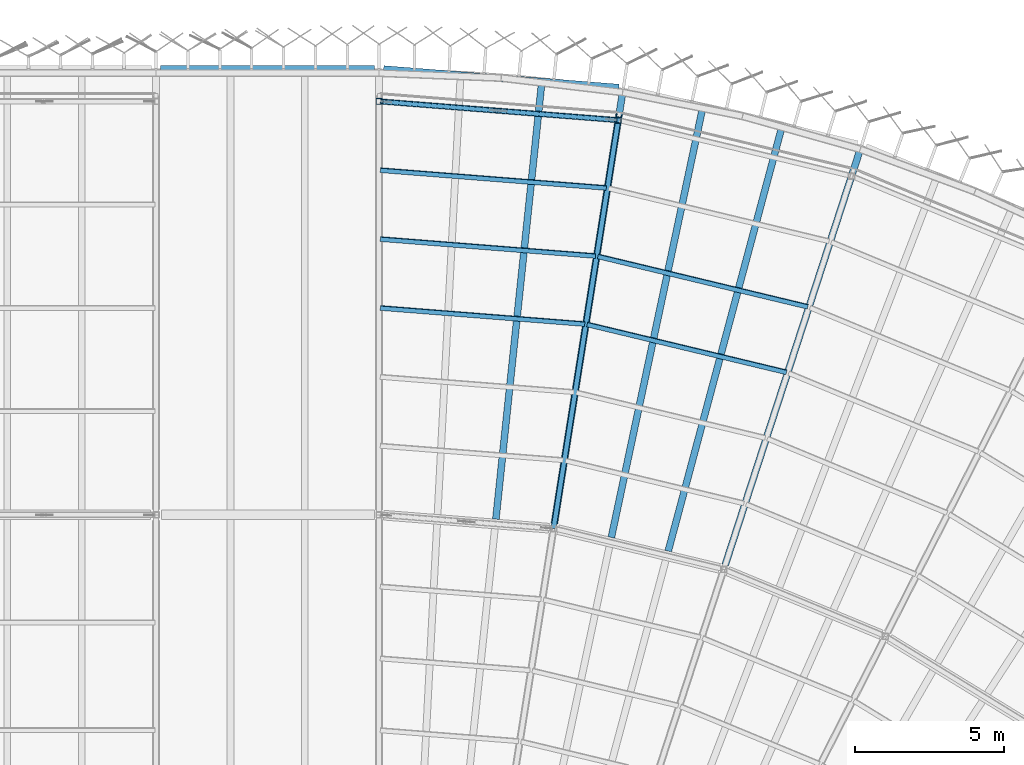
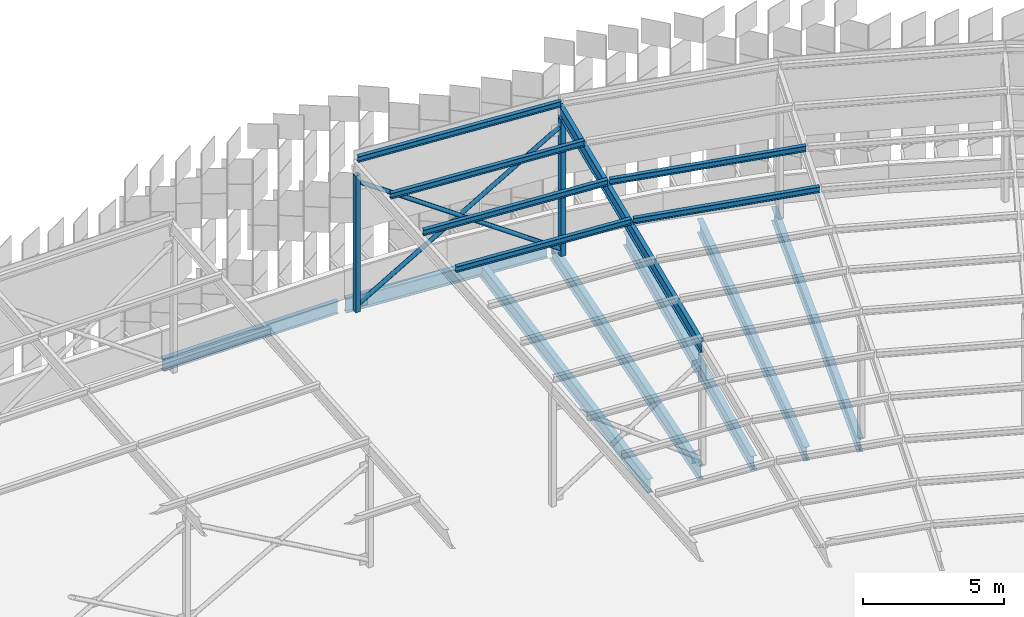
# One storey, part 103 of 483: 12 members, 7 beams.
"""IFC4 building model written with IfcOpenShell, lengths in metres."""

from ifc_helpers import new_model, si_unit, direction, frame, origin, origin_2d, place, context, subcontext, project, spatial, hollow_rectangle, hollow_circle, i_section, extrude, material, material_profile, profile_set, type_object, element, save


model = new_model("IFC4")

# Units and contexts
model_context = context("Model", 3, precision=1e-05, world=origin(), true_north=direction((0.0, 1.0)))
body_context = subcontext(model_context, "Body", "Model", "MODEL_VIEW")
ifc_project = project(units=[si_unit("LENGTHUNIT", "METRE"), si_unit("AREAUNIT", "SQUARE_METRE"), si_unit("VOLUMEUNIT", "CUBIC_METRE"), si_unit("PLANEANGLEUNIT", "RADIAN"), si_unit("MASSUNIT", "GRAM", prefix="KILO")], contexts=[model_context])

# Site, building, storey
site_placement = place(None, origin())
site = spatial("IfcSite", under=ifc_project, at=site_placement, CompositionType="ELEMENT")
building_placement = place(site_placement, origin())
building = spatial("IfcBuilding", under=site, at=building_placement, Name="Parallax Yard Mobility Hub", CompositionType="ELEMENT")
storey_placement = place(building_placement, frame((0.0, 0.0, 13.199951171875)))
storey = spatial("IfcBuildingStorey", under=building, at=storey_placement, Name="L04", CompositionType="ELEMENT", Elevation=13.199951171875)

# Members
ifc_material_1 = material(Name="Steel ASTM A500 Gr C", Category="steel")
ifc_material_profile_1 = material_profile(ifc_material_1, hollow_circle(Radius=0.0888671875, WallThickness=0.0078125, at=origin_2d()), Name="HSS177.8x7.9")
ifc_profile_set_1 = profile_set([ifc_material_profile_1], Name="Steel ASTM A500 Gr C")
member_type_1 = type_object("IfcMemberType", Name="Canopy brace HSS177.8x7.9", PredefinedType="BRACE", material=ifc_profile_set_1)
member_1_placement = place(storey_placement, frame((180.44677734375, 140.774658203125, 0.300048828125), z_axis=(-0.828971444417, 0.065230117389, 0.555474010307), x_axis=(-0.078445530037, -0.996918401283, 0.0)))
element("IfcMember", 1, at=member_1_placement, inside=storey, type_object=member_type_1, Name="Canopy X brace RC bay R0-R1 diagonal B", PredefinedType="BRACE", context=body_context, shape_type="SweptSolid", body=[
    extrude(hollow_circle(Radius=0.0888671875, WallThickness=0.0078125, at=origin_2d()), origin(), (0.0, 0.0, 1.0), 9.472900390625),
])
for number, where, z_axis, x_axis, name in (
    (2, (172.593994140625, 141.392578125, 0.300048828125), (0.828982131585, -0.065258061403, 0.555454778478), (0.078477922977, 0.996915851818, 0.0), "Canopy X brace RC bay R0-R1 diagonal A part 1"),
    (3, (176.591796875, 141.077880859375, 2.97900390625), (0.828984970615, -0.065205784262, 0.555456680754), (0.078415175452, 0.99692078936, 0.0), "Canopy X brace RC bay R0-R1 diagonal A part 2"),
):
    element("IfcMember", number, at=place(storey_placement, frame(where, z_axis=z_axis, x_axis=x_axis)), inside=storey, type_object=member_type_1, Name=name, PredefinedType="BRACE", context=body_context, shape_type="SweptSolid", body=[
        extrude(hollow_circle(Radius=0.0888671875, WallThickness=0.0078125, at=origin_2d()), origin(), (0.0, 0.0, 1.0), 4.650146484375),
    ])
ifc_material_profile_2 = material_profile(ifc_material_1, hollow_rectangle(XDim=0.203125, YDim=0.203125, WallThickness=0.009521484375, at=origin_2d()), Name="HSS203x203x9.5")
ifc_profile_set_2 = profile_set([ifc_material_profile_2], Name="Steel ASTM A500 Gr C")
member_type_2 = type_object("IfcMemberType", Name="Canopy post HSS203x203x9.5", PredefinedType="POST", material=ifc_profile_set_2)
for number, where, z_axis, x_axis, name in (
    (4, (172.5, 141.39990234375, 0.0), (0.0, 0.0, 1.0), (1.0, 0.0, 0.0), "Canopy post RC/R0"),
    (5, (180.540771484375, 140.76708984375, 0.0), (0.0, 0.0, 1.0), (1.0, 0.0, 0.0), "Canopy post RC/R1"),
):
    element("IfcMember", number, at=place(storey_placement, frame(where, z_axis=z_axis, x_axis=x_axis)), inside=storey, type_object=member_type_2, Name=name, PredefinedType="POST", context=body_context, shape_type="SweptSolid", body=[
        extrude(hollow_rectangle(XDim=0.203125, YDim=0.203125, WallThickness=0.009521484375, at=origin_2d()), origin(), (0.0, 0.0, 1.0), 5.922119140625),
    ])
ifc_material_2 = material(Name="Steel ASTM A992", Category="steel")
ifc_material_profile_3 = material_profile(ifc_material_2, i_section(OverallWidth=0.14794921875, OverallDepth=0.26611328125, WebThickness=0.007568359375, FlangeThickness=0.012939453125, at=origin_2d()), Name="W250x45")
ifc_profile_set_3 = profile_set([ifc_material_profile_3], Name="Steel ASTM A992")
member_type_3 = type_object("IfcMemberType", Name="Canopy purlin W250x45", PredefinedType="PURLIN", material=ifc_profile_set_3)
member_2_placement = place(storey_placement, frame((172.540771484375, 134.45751953125, 6.01806640625), z_axis=(0.99691690875, -0.078464495464, 0.0), x_axis=(0.078213068026, 0.993722441461, 0.079990157691)))
element("IfcMember", 6, at=member_2_placement, inside=storey, type_object=member_type_3, Name="Canopy purlin sector R0-R1 line 10", PredefinedType="PURLIN", context=body_context, shape_type="SweptSolid", body=[
    extrude(i_section(OverallWidth=0.14794921875, OverallDepth=0.26611328125, WebThickness=0.007568359375, FlangeThickness=0.012939453125, at=origin_2d()), origin(), (0.0, 0.0, 1.0), 6.89501953125),
])
member_3_placement = place(storey_placement, frame((172.540771484375, 136.774169921875, 6.203369140625), z_axis=(0.996916386258, -0.078471133612, 0.0), x_axis=(0.078219684904, 0.993721920643, 0.079990157691)))
element("IfcMember", 7, at=member_3_placement, inside=storey, type_object=member_type_3, Name="Canopy purlin sector R0-R1 line 11", PredefinedType="PURLIN", context=body_context, shape_type="SweptSolid", body=[
    extrude(i_section(OverallWidth=0.14794921875, OverallDepth=0.26611328125, WebThickness=0.007568359375, FlangeThickness=0.012939453125, at=origin_2d()), origin(), (0.0, 0.0, 1.0), 7.258544921875),
])
member_4_placement = place(storey_placement, frame((172.540771484375, 139.0908203125, 6.388671875), z_axis=(0.996916110817, -0.078474632808, 0.0), x_axis=(0.078223172886, 0.993721646084, 0.079990157691)))
element("IfcMember", 8, at=member_4_placement, inside=storey, type_object=member_type_3, Name="Canopy purlin sector R0-R1 line 12", PredefinedType="PURLIN", context=body_context, shape_type="SweptSolid", body=[
    extrude(i_section(OverallWidth=0.14794921875, OverallDepth=0.26611328125, WebThickness=0.007568359375, FlangeThickness=0.012939453125, at=origin_2d()), origin(), (0.0, 0.0, 1.0), 7.6220703125),
])
member_5_placement = place(storey_placement, frame((172.540771484375, 141.407470703125, 6.573974609375), z_axis=(0.996918063655, -0.078449820637, 0.0), x_axis=(0.078198440223, 0.993723592665, 0.079990157691)))
element("IfcMember", 9, at=member_5_placement, inside=storey, type_object=member_type_3, Name="Canopy purlin sector R0-R1 line 13", PredefinedType="PURLIN", context=body_context, shape_type="SweptSolid", body=[
    extrude(i_section(OverallWidth=0.14794921875, OverallDepth=0.26611328125, WebThickness=0.007568359375, FlangeThickness=0.012939453125, at=origin_2d()), origin(), (0.0, 0.0, 1.0), 7.985595703125),
])
member_6_placement = place(storey_placement, frame((179.494873046875, 133.90380859375, 6.01806640625), z_axis=(0.972370265056, -0.233443928247, 0.0), x_axis=(0.232695892993, 0.96925445372, 0.079990157691)))
element("IfcMember", 10, at=member_6_placement, inside=storey, type_object=member_type_3, Name="Canopy purlin sector R1-R2 line 10", PredefinedType="PURLIN", context=body_context, shape_type="SweptSolid", body=[
    extrude(i_section(OverallWidth=0.14794921875, OverallDepth=0.26611328125, WebThickness=0.007568359375, FlangeThickness=0.012939453125, at=origin_2d()), origin(), (0.0, 0.0, 1.0), 6.89501953125),
])
member_7_placement = place(storey_placement, frame((179.857421875, 136.19189453125, 6.203369140625), z_axis=(0.972365620512, -0.233463273443, 0.0), x_axis=(0.232715176201, 0.969249824059, 0.079990157691)))
element("IfcMember", 11, at=member_7_placement, inside=storey, type_object=member_type_3, Name="Canopy purlin sector R1-R2 line 11", PredefinedType="PURLIN", context=body_context, shape_type="SweptSolid", body=[
    extrude(i_section(OverallWidth=0.14794921875, OverallDepth=0.26611328125, WebThickness=0.007568359375, FlangeThickness=0.012939453125, at=origin_2d()), origin(), (0.0, 0.0, 1.0), 7.258544921875),
])
ifc_material_profile_4 = material_profile(ifc_material_2, i_section(OverallWidth=0.166015625, OverallDepth=0.529052734375, WebThickness=0.009765625, FlangeThickness=0.013671875, at=origin_2d()), Name="W530x74")
ifc_profile_set_4 = profile_set([ifc_material_profile_4], Name="Steel ASTM A992")
member_type_4 = type_object("IfcMemberType", Name="Canopy rafter W530x74", PredefinedType="RAFTER", material=ifc_profile_set_4)
member_8_placement = place(storey_placement, frame((178.36962890625, 127.05908203125, 5.067138671875), z_axis=(0.155926579375, 0.984544187034, 0.079747386297), x_axis=(-0.987689875172, 0.156424775797, 0.0)))
element("IfcMember", 12, at=member_8_placement, inside=storey, type_object=member_type_4, Name="Canopy rafter R1 outer span", PredefinedType="RAFTER", context=body_context, shape_type="SweptSolid", body=[
    extrude(i_section(OverallWidth=0.166015625, OverallDepth=0.529052734375, WebThickness=0.009765625, FlangeThickness=0.013671875, at=origin_2d()), origin(), (0.0, 0.0, 1.0), 14.0947265625),
])

# Beams
ifc_material_profile_5 = material_profile(ifc_material_2, i_section(OverallWidth=0.208984375, OverallDepth=0.532958984375, WebThickness=0.01025390625, FlangeThickness=0.015625, FilletRadius=0.0126953125, at=origin_2d()), Name="W530x92")
ifc_profile_set_5 = profile_set([ifc_material_profile_5], Name="Steel ASTM A992")
beam_type_1 = type_object("IfcBeamType", Name="W530x92 edge beam", PredefinedType="SPANDREL", material=ifc_profile_set_5)
beam_1_placement = place(storey_placement, frame((165.152587890625, 142.5, -0.406494140625), z_axis=(1.0, 0.0, 0.0), x_axis=(0.0, 1.0, 0.0)))
element("IfcBeam", 13, at=beam_1_placement, inside=storey, type_object=beam_type_1, Name="Edge beam SB5 level L04, line V of ramped parking decks, span 19", PredefinedType="SPANDREL", context=body_context, shape_type="SweptSolid", body=[
    extrude(i_section(OverallWidth=0.208984375, OverallDepth=0.532958984375, WebThickness=0.01025390625, FlangeThickness=0.015625, FilletRadius=0.0126953125, at=origin_2d()), origin(), (0.0, 0.0, 1.0), 7.19482421875),
])
ifc_material_profile_6 = material_profile(ifc_material_2, i_section(OverallWidth=0.22802734375, OverallDepth=0.60205078125, WebThickness=0.010498046875, FlangeThickness=0.014892578125, FilletRadius=0.0126953125, at=origin_2d()), Name="W610x101")
ifc_profile_set_6 = profile_set([ifc_material_profile_6], Name="Steel ASTM A992")
beam_type_2 = type_object("IfcBeamType", Name="W610x101 secondary beam", PredefinedType="JOIST", material=ifc_profile_set_6)
for number, where, z_axis, x_axis, name in (
    (14, (180.30908203125, 126.739013671875, -0.44091796875), (0.207908276129, 0.978148326542, 0.0), (-0.978148326542, 0.207908276129, 0.0), "Secondary beam B3 level L04, radial at 12 degrees of ramped parking decks, span 2"),
    (15, (182.22119140625, 126.27978515625, -0.44091796875), (0.258824743814, 0.965924299306, 0.0), (-0.965924299306, 0.258824743814, 0.0), "Secondary beam B3 level L04, radial at 15 degrees of ramped parking decks, span 2"),
):
    element("IfcBeam", number, at=place(storey_placement, frame(where, z_axis=z_axis, x_axis=x_axis)), inside=storey, type_object=beam_type_2, Name=name, PredefinedType="JOIST", context=body_context, shape_type="SweptSolid", body=[
        extrude(i_section(OverallWidth=0.22802734375, OverallDepth=0.60205078125, WebThickness=0.010498046875, FlangeThickness=0.014892578125, FilletRadius=0.0126953125, at=origin_2d()), origin(), (0.0, 0.0, 1.0), 14.681884765625),
    ])
beam_2_placement = place(storey_placement, frame((176.426025390625, 127.35400390625, -0.44091796875), z_axis=(0.104528973154, 0.994521841777, 0.0), x_axis=(-0.994521841777, 0.104528973154, 0.0)))
element("IfcBeam", 16, at=beam_2_placement, inside=storey, type_object=beam_type_2, Name="Secondary beam B3 level L04, radial at 6 degrees of ramped parking decks, span 2", PredefinedType="JOIST", context=body_context, shape_type="SweptSolid", body=[
    extrude(i_section(OverallWidth=0.22802734375, OverallDepth=0.60205078125, WebThickness=0.010498046875, FlangeThickness=0.014892578125, FilletRadius=0.0126953125, at=origin_2d()), origin(), (0.0, 0.0, 1.0), 14.681640625),
])
ifc_material_profile_7 = material_profile(ifc_material_2, i_section(OverallWidth=0.22900390625, OverallDepth=0.612060546875, WebThickness=0.011962890625, FlangeThickness=0.01953125, FilletRadius=0.0126953125, at=origin_2d()), Name="W610x125")
ifc_profile_set_7 = profile_set([ifc_material_profile_7], Name="Steel ASTM A992")
beam_type_3 = type_object("IfcBeamType", Name="W610x125 edge beam", PredefinedType="SPANDREL", material=ifc_profile_set_7)
beam_3_placement = place(storey_placement, frame((172.652587890625, 142.488037109375, -0.446044921875), z_axis=(0.996915282965, -0.07848514886, 0.0), x_axis=(0.07848514886, 0.996915282965, 0.0)))
element("IfcBeam", 17, at=beam_3_placement, inside=storey, type_object=beam_type_3, Name="Edge beam SB7 level L04, ring RC of ramped parking decks, span 1", PredefinedType="SPANDREL", context=body_context, shape_type="SweptSolid", body=[
    extrude(i_section(OverallWidth=0.22900390625, OverallDepth=0.612060546875, WebThickness=0.011962890625, FlangeThickness=0.01953125, FilletRadius=0.0126953125, at=origin_2d()), origin(), (0.0, 0.0, 1.0), 7.93212890625),
])
ifc_material_profile_8 = material_profile(ifc_material_2, i_section(OverallWidth=0.22900390625, OverallDepth=0.612060546875, WebThickness=0.011962890625, FlangeThickness=0.01953125, FilletRadius=0.0126953125, at=origin_2d()), Name="W610x125")
ifc_profile_set_8 = profile_set([ifc_material_profile_8], Name="Steel ASTM A992")
beam_type_4 = type_object("IfcBeamType", Name="W610x125 girder", PredefinedType="BEAM", material=ifc_profile_set_8)
for number, where, z_axis, x_axis, name in (
    (18, (178.39208984375, 127.2001953125, -0.446044921875), (0.15642023306, 0.987690594614, 0.0), (-0.987690594614, 0.15642023306, 0.0), "Girder G3 level L04, radial R1 of ramped parking decks, span 1"),
    (19, (184.138916015625, 125.820556640625, -0.446044921875), (0.309015385889, 0.951057038922, 0.0), (-0.951057038922, 0.309015385889, 0.0), "Girder G3 level L04, radial R2 of ramped parking decks, span 2"),
):
    element("IfcBeam", number, at=place(storey_placement, frame(where, z_axis=z_axis, x_axis=x_axis)), inside=storey, type_object=beam_type_4, Name=name, PredefinedType="BEAM", context=body_context, shape_type="SweptSolid", body=[
        extrude(i_section(OverallWidth=0.22900390625, OverallDepth=0.612060546875, WebThickness=0.011962890625, FlangeThickness=0.01953125, FilletRadius=0.0126953125, at=origin_2d()), origin(), (0.0, 0.0, 1.0), 14.682373046875),
    ])

save(model, "model.ifc")
